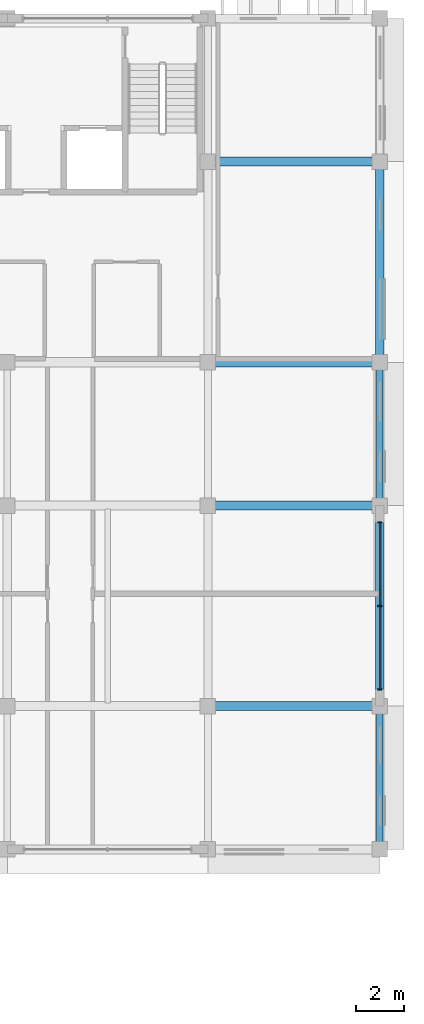
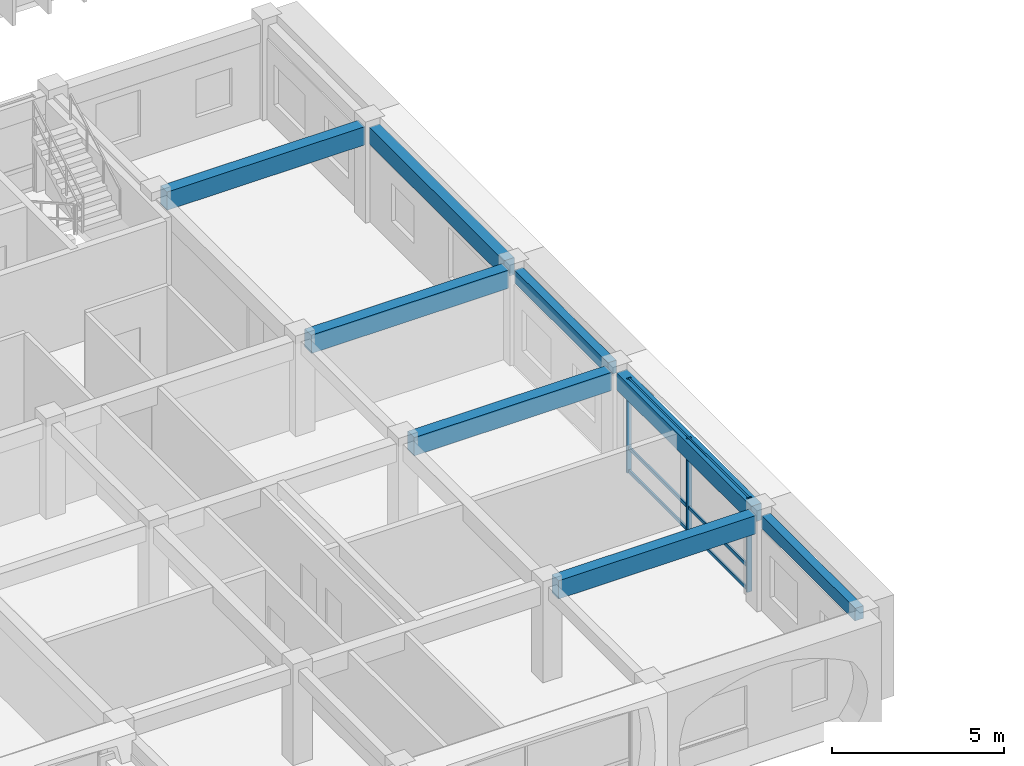
# One storey, part 36 of 88: 8 beams, 6 members, 1 element without a shape of its own.
"""IFC4 building model written with IfcOpenShell, lengths in metres."""

from ifc_helpers import new_model, si_unit, direction, frame, origin, origin_2d, place, context, subcontext, project, spatial, rectangle, extrude, material, material_profile, profile_set, type_object, element, aggregate, save


model = new_model("IFC4")

# Units and contexts
model_context = context("Model", 3, precision=1e-05, world=origin(), true_north=direction((0.0, 1.0)))
body_context = subcontext(model_context, "Body", "Model", "MODEL_VIEW")
ifc_project = project(units=[si_unit("LENGTHUNIT", "METRE"), si_unit("AREAUNIT", "SQUARE_METRE"), si_unit("VOLUMEUNIT", "CUBIC_METRE"), si_unit("PLANEANGLEUNIT", "RADIAN"), si_unit("MASSUNIT", "GRAM", prefix="KILO"), si_unit("THERMODYNAMICTEMPERATUREUNIT", "KELVIN")], contexts=[model_context])

# Site, building, storey
site_placement = place(None, origin())
site = spatial("IfcSite", under=ifc_project, at=site_placement, CompositionType="ELEMENT")
building_placement = place(site_placement, origin())
building = spatial("IfcBuilding", under=site, at=building_placement, Name="Thalorik Housing Commons", CompositionType="ELEMENT")
storey_placement = place(building_placement, frame((0.0, 0.0, 4.5)))
storey = spatial("IfcBuildingStorey", under=building, at=storey_placement, Name="L01", CompositionType="ELEMENT", Elevation=4.5)

# Curtain wall, members
ifc_material_1 = material(Name="Anodised aluminium and solar-control low-E glass", Category="aluminium")
curtain_wall_type = type_object("IfcCurtainWallType", Name="ARC-CW-LOUNGE", PredefinedType="USERDEFINED", material=ifc_material_1)
curtain_wall_placement = place(storey_placement, origin())
curtain_wall = element("IfcCurtainWall", 1, at=curtain_wall_placement, inside=storey, type_object=curtain_wall_type, Name="L01 Curtain Wall CW-RES-L01-D-177", ObjectType="CURTAIN WALL", PredefinedType="USERDEFINED")
ifc_material_2 = material(Name="Anodised aluminium 6063-T6", Category="aluminium")
ifc_material_profile_1 = material_profile(ifc_material_2, rectangle(XDim=0.06005859375, YDim=0.159912109375, at=origin_2d()), Name="ALU MUL 60x160", Category="aluminium")
ifc_profile_set_1 = profile_set([ifc_material_profile_1], Name="Anodised aluminium 6063-T6")
member_type_1 = type_object("IfcMemberType", Name="ARC-CW-MUL-60x160", PredefinedType="MULLION", material=ifc_profile_set_1)
member_1_placement = place(storey_placement, frame((174.0, 43.89990234375, 0.0), z_axis=(0.0, 0.0, 1.0), x_axis=(0.0, 1.0, 0.0)))
member_1 = element("IfcMember", 2, at=member_1_placement, type_object=member_type_1, Name="CW-RES-L01-D-177 Mullion 1", PredefinedType="MULLION", context=body_context, shape_type="SweptSolid", body=[
    extrude(rectangle(XDim=0.06005859375, YDim=0.159912109375, at=origin_2d()), origin(), (0.0, 0.0, 1.0), 3.340087890625),
])
member_2_placement = place(storey_placement, frame((174.0, 47.39990234375, 0.0), z_axis=(0.0, 0.0, 1.0), x_axis=(0.0, 1.0, 0.0)))
member_2 = element("IfcMember", 3, at=member_2_placement, type_object=member_type_1, Name="CW-RES-L01-D-177 Mullion 2", PredefinedType="MULLION", context=body_context, shape_type="SweptSolid", body=[
    extrude(rectangle(XDim=0.06005859375, YDim=0.159912109375, at=origin_2d()), origin(), (0.0, 0.0, 1.0), 3.340087890625),
])
member_3_placement = place(storey_placement, frame((174.0, 50.89990234375, 0.0), z_axis=(0.0, 0.0, 1.0), x_axis=(0.0, 1.0, 0.0)))
member_3 = element("IfcMember", 4, at=member_3_placement, type_object=member_type_1, Name="CW-RES-L01-D-177 Mullion 3", PredefinedType="MULLION", context=body_context, shape_type="SweptSolid", body=[
    extrude(rectangle(XDim=0.06005859375, YDim=0.159912109375, at=origin_2d()), origin(), (0.0, 0.0, 1.0), 3.340087890625),
])
ifc_material_profile_2 = material_profile(ifc_material_2, rectangle(XDim=0.06005859375, YDim=0.1201171875, at=origin_2d()), Name="ALU TRN 60x120", Category="aluminium")
ifc_profile_set_2 = profile_set([ifc_material_profile_2], Name="Anodised aluminium 6063-T6")
member_type_2 = type_object("IfcMemberType", Name="ARC-CW-TRN-60x120", PredefinedType="USERDEFINED", material=ifc_profile_set_2)
member_4_placement = place(storey_placement, frame((174.0, 43.89990234375, 0.054931640625), z_axis=(0.0, 1.0, 0.0), x_axis=(-1.0, 0.0, 0.0)))
member_4 = element("IfcMember", 5, at=member_4_placement, type_object=member_type_2, Name="CW-RES-L01-D-177 Transom 1", ObjectType="TRANSOM", PredefinedType="USERDEFINED", context=body_context, shape_type="SweptSolid", body=[
    extrude(rectangle(XDim=0.06005859375, YDim=0.1201171875, at=origin_2d()), origin(), (0.0, 0.0, 1.0), 7.0),
])
member_5_placement = place(storey_placement, frame((174.0, 43.89990234375, 0.8798828125), z_axis=(0.0, 1.0, 0.0), x_axis=(-1.0, 0.0, 0.0)))
member_5 = element("IfcMember", 6, at=member_5_placement, type_object=member_type_2, Name="CW-RES-L01-D-177 Transom 2", ObjectType="TRANSOM", PredefinedType="USERDEFINED", context=body_context, shape_type="SweptSolid", body=[
    extrude(rectangle(XDim=0.06005859375, YDim=0.1201171875, at=origin_2d()), origin(), (0.0, 0.0, 1.0), 7.0),
])
member_6_placement = place(storey_placement, frame((174.0, 43.89990234375, 3.284912109375), z_axis=(0.0, 1.0, 0.0), x_axis=(-1.0, 0.0, 0.0)))
member_6 = element("IfcMember", 7, at=member_6_placement, type_object=member_type_2, Name="CW-RES-L01-D-177 Transom 3", ObjectType="TRANSOM", PredefinedType="USERDEFINED", context=body_context, shape_type="SweptSolid", body=[
    extrude(rectangle(XDim=0.06005859375, YDim=0.1201171875, at=origin_2d()), origin(), (0.0, 0.0, 1.0), 7.0),
])
aggregate(curtain_wall, [member_1, member_2, member_3, member_4, member_5, member_6])

# Beams
ifc_material_3 = material(Name="Precast concrete C40/50", Category="concrete")
ifc_material_profile_3 = material_profile(ifc_material_3, rectangle(XDim=0.280029296875, YDim=0.449951171875, at=origin_2d()), Name="PC 280x450", Category="concrete")
ifc_profile_set_3 = profile_set([ifc_material_profile_3], Name="Precast concrete C40/50")
beam_type_1 = type_object("IfcBeamType", Name="STR-BM-PC280x450", PredefinedType="BEAM", material=ifc_profile_set_3)
for number, where, z_axis, x_axis, name in (
    (8, (174.0, 37.47509765625, 3.114990234375), (0.0, 1.0, 0.0), (-1.0, 0.0, 0.0), "L01 Beam B-450"),
    (9, (174.0, 51.875, 3.114990234375), (0.0, 1.0, 0.0), (-1.0, 0.0, 0.0), "L01 Beam B-450"),
):
    element("IfcBeam", number, at=place(storey_placement, frame(where, z_axis=z_axis, x_axis=x_axis)), inside=storey, type_object=beam_type_1, Name=name, PredefinedType="BEAM", context=body_context, shape_type="SweptSolid", body=[
        extrude(rectangle(XDim=0.280029296875, YDim=0.449951171875, at=origin_2d()), origin(), (0.0, 0.0, 1.0), 5.449951171875),
    ])
ifc_material_profile_4 = material_profile(ifc_material_3, rectangle(XDim=0.35009765625, YDim=0.60009765625, at=origin_2d()), Name="PC 350x600", Category="concrete")
ifc_profile_set_4 = profile_set([ifc_material_profile_4], Name="Precast concrete C40/50")
beam_type_2 = type_object("IfcBeamType", Name="STR-BM-PC350x600", PredefinedType="BEAM", material=ifc_profile_set_4)
beam_1_placement = place(storey_placement, frame((174.0, 43.47509765625, 3.0400390625), z_axis=(0.0, 1.0, 0.0), x_axis=(-1.0, 0.0, 0.0)))
element("IfcBeam", 10, at=beam_1_placement, inside=storey, type_object=beam_type_2, Name="L01 Beam B-600", PredefinedType="BEAM", context=body_context, shape_type="SweptSolid", body=[
    extrude(rectangle(XDim=0.35009765625, YDim=0.60009765625, at=origin_2d()), origin(), (0.0, 0.0, 1.0), 7.849853515625),
])
beam_2_placement = place(storey_placement, frame((174.0, 57.875, 3.0400390625), z_axis=(0.0, 1.0, 0.0), x_axis=(-1.0, 0.0, 0.0)))
element("IfcBeam", 11, at=beam_2_placement, inside=storey, type_object=beam_type_2, Name="L01 Beam B-600", PredefinedType="BEAM", context=body_context, shape_type="SweptSolid", body=[
    extrude(rectangle(XDim=0.35009765625, YDim=0.60009765625, at=origin_2d()), origin(), (0.0, 0.0, 1.0), 7.85009765625),
])
ifc_material_profile_5 = material_profile(ifc_material_3, rectangle(XDim=0.3798828125, YDim=0.64990234375, at=origin_2d()), Name="PC 380x650", Category="concrete")
ifc_profile_set_5 = profile_set([ifc_material_profile_5], Name="Precast concrete C40/50")
beam_type_3 = type_object("IfcBeamType", Name="STR-BM-PC380x650", PredefinedType="BEAM", material=ifc_profile_set_5)
for number, where, z_axis, x_axis, name in (
    (12, (167.074951171875, 43.199951171875, 3.014892578125), (1.0, 0.0, 0.0), (0.0, 1.0, 0.0), "L01 Beam B-650"),
    (13, (167.074951171875, 51.60009765625, 3.014892578125), (1.0, 0.0, 0.0), (0.0, 1.0, 0.0), "L01 Beam B-650"),
    (14, (167.074951171875, 57.60009765625, 3.014892578125), (1.0, 0.0, 0.0), (0.0, 1.0, 0.0), "L01 Beam B-650"),
    (15, (167.074951171875, 66.0, 3.014892578125), (1.0, 0.0, 0.0), (0.0, 1.0, 0.0), "L01 Beam B-650"),
):
    element("IfcBeam", number, at=place(storey_placement, frame(where, z_axis=z_axis, x_axis=x_axis)), inside=storey, type_object=beam_type_3, Name=name, PredefinedType="BEAM", context=body_context, shape_type="SweptSolid", body=[
        extrude(rectangle(XDim=0.3798828125, YDim=0.64990234375, at=origin_2d()), origin(), (0.0, 0.0, 1.0), 6.650146484375),
    ])

save(model, "model.ifc")
